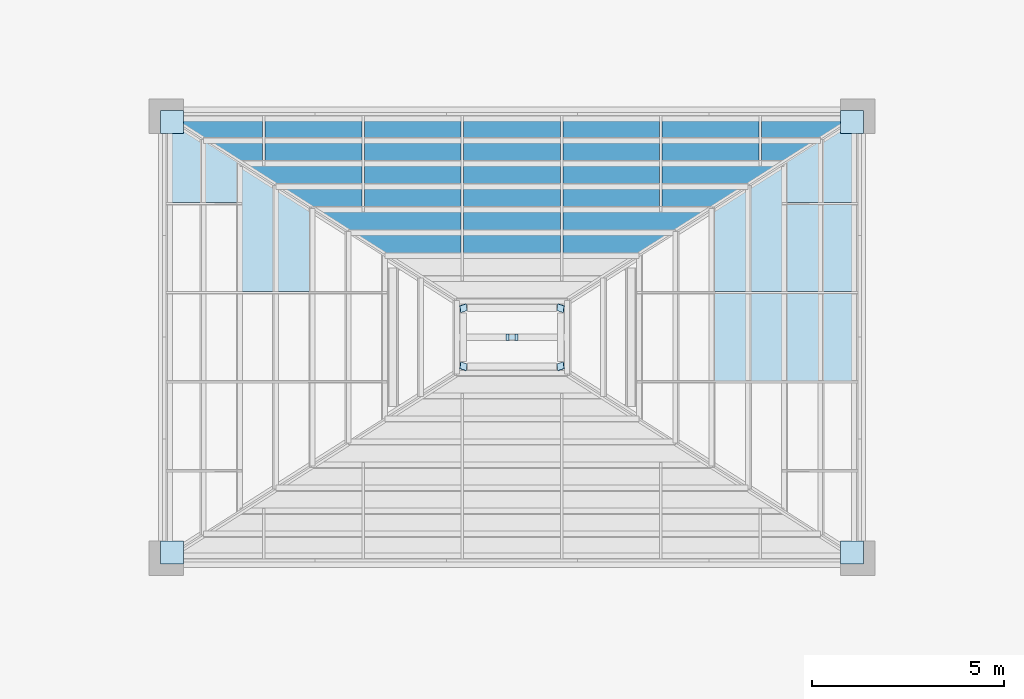
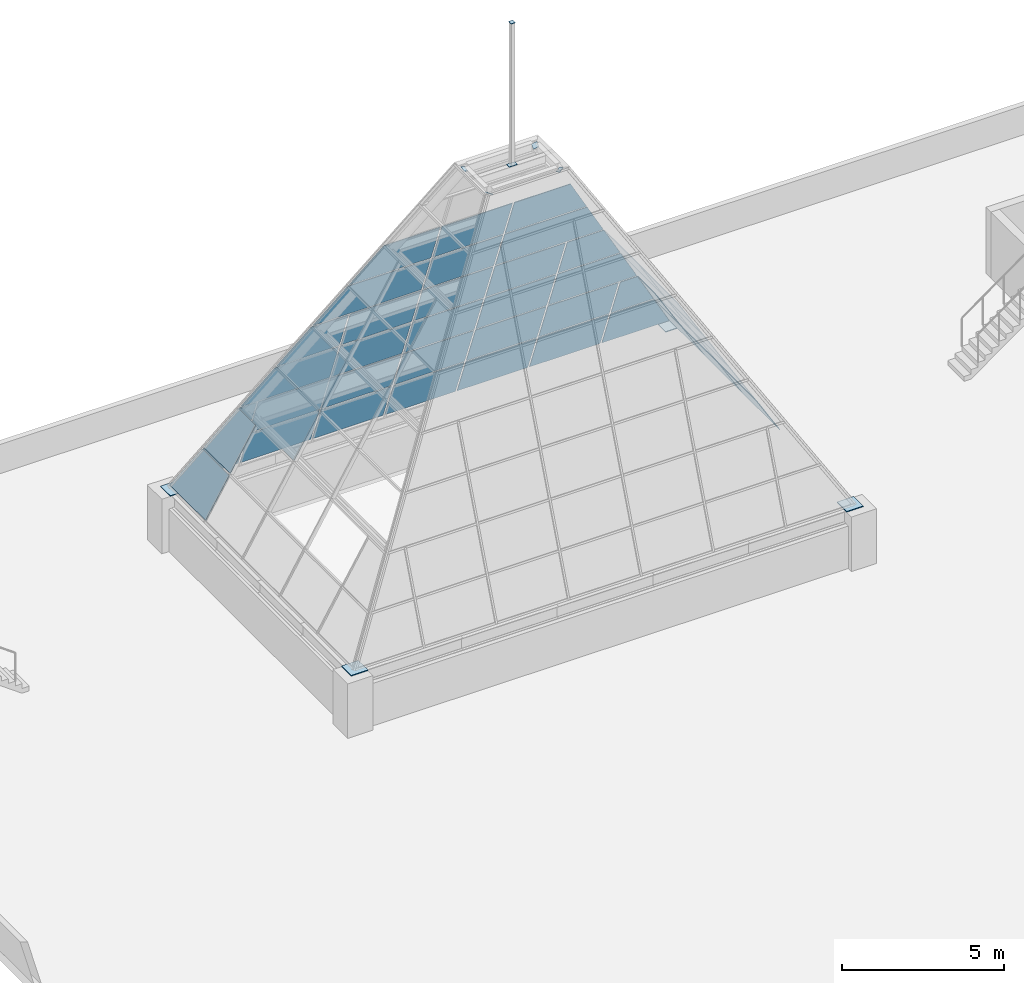
# One storey, part 6 of 8: 54 plates, 3 elements without a shape of their own.
"""IFC4 building model written with IfcOpenShell, lengths in metres."""

from ifc_helpers import new_model, si_unit, direction, frame, origin, place, context, subcontext, project, spatial, polyline, outline, extrude, material, layer, layer_set, type_object, element, aggregate, save


model = new_model("IFC4")

# Units and contexts
model_context = context("Model", 3, precision=1e-05, world=origin(), true_north=direction((0.0, 1.0)))
body_context = subcontext(model_context, "Body", "Model", "MODEL_VIEW")
ifc_project = project(units=[si_unit("LENGTHUNIT", "METRE"), si_unit("AREAUNIT", "SQUARE_METRE"), si_unit("VOLUMEUNIT", "CUBIC_METRE"), si_unit("PLANEANGLEUNIT", "RADIAN"), si_unit("MASSUNIT", "GRAM", prefix="KILO")], contexts=[model_context])

# Site, building, storey
site_placement = place(None, origin())
site = spatial("IfcSite", under=ifc_project, at=site_placement, CompositionType="ELEMENT")
building_placement = place(site_placement, origin())
building = spatial("IfcBuilding", under=site, at=building_placement, Name="Brigalow Station Residences", CompositionType="ELEMENT")
storey_placement = place(building_placement, frame((0.0, 0.0, 244.199951171875)))
storey = spatial("IfcBuildingStorey", under=building, at=storey_placement, Name="Roof", CompositionType="ELEMENT", Elevation=244.199951171875)

# Plates
ifc_material_1 = material(Name="Steel Grade 350 to AS/NZS 3678", Category="steel")
ifc_layer_1 = layer(ifc_material_1, 0.030029296875)
ifc_layer_set_1 = layer_set([ifc_layer_1], Name="CROWN BEARING PLATE 30")
plate_type_1 = type_object("IfcPlateType", Name="CROWN BEARING PLATE 30", PredefinedType="USERDEFINED", material=ifc_layer_set_1)
for number, where, z_axis, x_axis, name in (
    (1, (26.85009765625, 23.85009765625, 2.09033203125), (0.0, 0.0, 1.0), (1.0, 0.0, 0.0), "CROWN BEARING PLATE SW"),
    (2, (44.550048828125, 23.85009765625, 2.09033203125), (0.0, 0.0, 1.0), (1.0, 0.0, 0.0), "CROWN BEARING PLATE SE"),
    (3, (44.550048828125, 35.050048828125, 2.09033203125), (0.0, 0.0, 1.0), (1.0, 0.0, 0.0), "CROWN BEARING PLATE NE"),
    (4, (26.85009765625, 35.050048828125, 2.09033203125), (0.0, 0.0, 1.0), (1.0, 0.0, 0.0), "CROWN BEARING PLATE NW"),
):
    element("IfcPlate", number, at=place(storey_placement, frame(where, z_axis=z_axis, x_axis=x_axis)), inside=storey, type_object=plate_type_1, Name=name, ObjectType="BEARING PLATE", PredefinedType="USERDEFINED", context=body_context, shape_type="SweptSolid", body=[
        extrude(outline(polyline([(0.0, 0.0), (0.599853515625, 0.0), (0.599853515625, 0.599853515625), (0.0, 0.599853515625), (0.0, 0.0)])), origin(), (0.0, 0.0, -1.0), 0.030029296875),
    ])

# Curtain wall, plates
ifc_material_2 = material(Name="Aluminium", Category="aluminium")
ifc_layer_2 = layer(ifc_material_2, 0.14990234375)
ifc_layer_set_2 = layer_set([ifc_layer_2], Name="CROWN CURTAIN WALL")
curtain_wall_type = type_object("IfcCurtainWallType", Name="CROWN CURTAIN WALL", PredefinedType="NOTDEFINED", material=ifc_layer_set_2)
curtain_wall_1_placement = place(storey_placement, origin())
curtain_wall_1 = element("IfcCurtainWall", 5, at=curtain_wall_1_placement, inside=storey, type_object=curtain_wall_type, Name="Roof/cw/crown-E", PredefinedType="NOTDEFINED")
ifc_material_3 = material(Name="Laminated low-emissivity glass, 24 mm", Category="glass")
ifc_layer_3 = layer(ifc_material_3, 0.02392578125)
ifc_layer_set_3 = layer_set([ifc_layer_3], Name="CROWN GLASS PANEL 24")
plate_type_2 = type_object("IfcPlateType", Name="CROWN GLASS PANEL 24", PredefinedType="CURTAIN_PANEL", material=ifc_layer_set_3)
plate_1_placement = place(storey_placement, frame((44.927001953125, 28.614990234375, 2.167724609375), z_axis=(0.856678360594, 0.0, 0.515850934369), x_axis=(0.0, 1.0, 0.0)))
plate_1 = element("IfcPlate", 6, at=plate_1_placement, type_object=plate_type_2, Name="Roof/cw/crown-E/P02-00", PredefinedType="CURTAIN_PANEL", context=body_context, shape_type="SweptSolid", body=[
    extrude(outline(polyline([(0.0, 0.0), (2.27001953125, 0.0), (2.27001953125, 1.641799542653841), (0.0, 1.641799542653841), (0.0, 0.0)])), origin(), (0.0, 0.0, -1.0), 0.02392578125),
])
plate_2_placement = place(storey_placement, frame((44.927001953125, 30.93505859375, 2.167724609375), z_axis=(0.856678360594, 0.0, 0.515850934369), x_axis=(0.0, 1.0, 0.0)))
plate_2 = element("IfcPlate", 7, at=plate_2_placement, type_object=plate_type_2, Name="Roof/cw/crown-E/P03-00", PredefinedType="CURTAIN_PANEL", context=body_context, shape_type="SweptSolid", body=[
    extrude(outline(polyline([(0.0, 0.0), (2.27001953125, 0.0), (2.27001953125, 1.641799542653841), (0.0, 1.641799542653841), (0.0, 0.0)])), origin(), (0.0, 0.0, -1.0), 0.02392578125),
])
plate_3_placement = place(storey_placement, frame((44.927001953125, 33.2548828125, 2.167724609375), z_axis=(0.856678360594, 0.0, 0.515850934369), x_axis=(0.0, 1.0, 0.0)))
plate_3 = element("IfcPlate", 8, at=plate_3_placement, type_object=plate_type_2, Name="Roof/cw/crown-E/P04-00", PredefinedType="CURTAIN_PANEL", context=body_context, shape_type="SweptSolid", body=[
    extrude(outline(polyline([(0.0, 0.0), (2.19140625, 0.0), (1.653076171875, 1.641799542653841), (0.0, 1.641799542653841), (0.0, 0.0)])), origin(), (0.0, 0.0, -1.0), 0.02392578125),
])
plate_4_placement = place(storey_placement, frame((44.046630859375, 28.614990234375, 3.6298828125), z_axis=(0.856747426204, 0.0, 0.515736219101), x_axis=(0.0, 1.0, 0.0)))
plate_4 = element("IfcPlate", 9, at=plate_4_placement, type_object=plate_type_2, Name="Roof/cw/crown-E/P02-01", PredefinedType="CURTAIN_PANEL", context=body_context, shape_type="SweptSolid", body=[
    extrude(outline(polyline([(0.0, 0.0), (2.27001953125, 0.0), (2.27001953125, 1.7647708582252735), (0.0, 1.7647708582252735), (0.0, 0.0)])), origin(), (0.0, 0.0, -1.0), 0.02392578125),
])
plate_5_placement = place(storey_placement, frame((44.046630859375, 30.93505859375, 3.6298828125), z_axis=(0.856747426204, 0.0, 0.515736219101), x_axis=(0.0, 1.0, 0.0)))
plate_5 = element("IfcPlate", 10, at=plate_5_placement, type_object=plate_type_2, Name="Roof/cw/crown-E/P03-01", PredefinedType="CURTAIN_PANEL", context=body_context, shape_type="SweptSolid", body=[
    extrude(outline(polyline([(0.0, 0.0), (2.27001953125, 0.0), (2.27001953125, 1.7647708582252735), (0.0, 1.7647708582252735), (0.0, 0.0)])), origin(), (0.0, 0.0, -1.0), 0.02392578125),
])
plate_6_placement = place(storey_placement, frame((44.046630859375, 33.2548828125, 3.6298828125), z_axis=(0.856747426204, 0.0, 0.515736219101), x_axis=(0.0, 1.0, 0.0)))
plate_6 = element("IfcPlate", 11, at=plate_6_placement, type_object=plate_type_2, Name="Roof/cw/crown-E/P04-01", PredefinedType="CURTAIN_PANEL", context=body_context, shape_type="SweptSolid", body=[
    extrude(outline(polyline([(0.0, 0.0), (1.6318359375, 0.0), (1.05322265625, 1.7647708582252735), (0.0, 1.7647708582252735), (0.0, 0.0)])), origin(), (0.0, 0.0, -1.0), 0.02392578125),
])
plate_7_placement = place(storey_placement, frame((43.102783203125, 28.614990234375, 5.197509765625), z_axis=(0.856710623121, 0.0, 0.515797351905), x_axis=(0.0, 1.0, 0.0)))
plate_7 = element("IfcPlate", 12, at=plate_7_placement, type_object=plate_type_2, Name="Roof/cw/crown-E/P01-02", PredefinedType="CURTAIN_PANEL", context=body_context, shape_type="SweptSolid", body=[
    extrude(outline(polyline([(0.0, 0.0), (2.27001953125, 0.0), (2.27001953125, 1.7645616958654706), (0.0, 1.7645616958654706), (0.0, 0.0)])), origin(), (0.0, 0.0, -1.0), 0.02392578125),
])
plate_8_placement = place(storey_placement, frame((43.102783203125, 30.93505859375, 5.197509765625), z_axis=(0.856710623121, 0.0, 0.515797351905), x_axis=(0.0, 1.0, 0.0)))
plate_8 = element("IfcPlate", 13, at=plate_8_placement, type_object=plate_type_2, Name="Roof/cw/crown-E/P02-02", PredefinedType="CURTAIN_PANEL", context=body_context, shape_type="SweptSolid", body=[
    extrude(outline(polyline([(0.0, 0.0), (3.3515625, 0.0), (2.77294921875, 1.7645616958654702), (0.0, 1.7645616958654702), (0.0, 0.0)])), origin(), (0.0, 0.0, -1.0), 0.02392578125),
])
plate_9_placement = place(storey_placement, frame((42.1591796875, 28.614990234375, 6.764892578125), z_axis=(0.856649482729, 0.0, 0.515898889066), x_axis=(0.0, 1.0, 0.0)))
plate_9 = element("IfcPlate", 14, at=plate_9_placement, type_object=plate_type_2, Name="Roof/cw/crown-E/P01-03", PredefinedType="CURTAIN_PANEL", context=body_context, shape_type="SweptSolid", body=[
    extrude(outline(polyline([(0.0, 0.0), (2.27001953125, 0.0), (2.27001953125, 1.7646876353484533), (0.0, 1.7646876353484533), (0.0, 0.0)])), origin(), (0.0, 0.0, -1.0), 0.02392578125),
])
plate_10_placement = place(storey_placement, frame((42.1591796875, 30.93505859375, 6.764892578125), z_axis=(0.856649482729, 0.0, 0.515898889066), x_axis=(0.0, 1.0, 0.0)))
plate_10 = element("IfcPlate", 15, at=plate_10_placement, type_object=plate_type_2, Name="Roof/cw/crown-E/P02-03", PredefinedType="CURTAIN_PANEL", context=body_context, shape_type="SweptSolid", body=[
    extrude(outline(polyline([(0.0, 0.0), (2.751708984375, 0.0), (2.1728515625, 1.7646876353484533), (0.0, 1.7646876353484533), (0.0, 0.0)])), origin(), (0.0, 0.0, -1.0), 0.02392578125),
])
aggregate(curtain_wall_1, [plate_1, plate_2, plate_3, plate_4, plate_5, plate_6, plate_7, plate_8, plate_9, plate_10])

curtain_wall_2_placement = place(storey_placement, origin())
curtain_wall_2 = element("IfcCurtainWall", 16, at=curtain_wall_2_placement, inside=storey, type_object=curtain_wall_type, Name="Roof/cw/crown-N", PredefinedType="NOTDEFINED")
plate_11_placement = place(storey_placement, frame((44.906494140625, 35.45947265625, 2.156982421875), z_axis=(0.0, 0.933889775991, 0.357561024581), x_axis=(-1.0, 0.0, 0.0)))
plate_11 = element("IfcPlate", 17, at=plate_11_placement, type_object=plate_type_2, Name="Roof/cw/crown-N/P00-00", PredefinedType="CURTAIN_PANEL", context=body_context, shape_type="SweptSolid", body=[
    extrude(outline(polyline([(0.0, 0.0), (2.40966796875, 0.0), (2.40966796875, 1.5233140553076103), (0.8564453125, 1.5233140553076103), (0.0, 0.0)])), origin(), (0.0, 0.0, -1.0), 0.02392578125),
])
plate_12_placement = place(storey_placement, frame((42.431884765625, 35.45947265625, 2.156982421875), z_axis=(0.0, 0.933889775991, 0.357561024581), x_axis=(-1.0, 0.0, 0.0)))
plate_12 = element("IfcPlate", 18, at=plate_12_placement, type_object=plate_type_2, Name="Roof/cw/crown-N/P01-00", PredefinedType="CURTAIN_PANEL", context=body_context, shape_type="SweptSolid", body=[
    extrude(outline(polyline([(0.0, 0.0), (2.520751953125, 0.0), (2.520751953125, 1.52331405530761), (0.0, 1.52331405530761), (0.0, 0.0)])), origin(), (0.0, 0.0, -1.0), 0.02392578125),
])
plate_13_placement = place(storey_placement, frame((39.84619140625, 35.45947265625, 2.156982421875), z_axis=(0.0, 0.933889775991, 0.357561024581), x_axis=(-1.0, 0.0, 0.0)))
plate_13 = element("IfcPlate", 19, at=plate_13_placement, type_object=plate_type_2, Name="Roof/cw/crown-N/P02-00", PredefinedType="CURTAIN_PANEL", context=body_context, shape_type="SweptSolid", body=[
    extrude(outline(polyline([(0.0, 0.0), (2.520751953125, 0.0), (2.520751953125, 1.52331405530761), (0.0, 1.52331405530761), (0.0, 0.0)])), origin(), (0.0, 0.0, -1.0), 0.02392578125),
])
plate_14_placement = place(storey_placement, frame((37.260498046875, 35.45947265625, 2.156982421875), z_axis=(0.0, 0.933889775991, 0.357561024581), x_axis=(-1.0, 0.0, 0.0)))
plate_14 = element("IfcPlate", 20, at=plate_14_placement, type_object=plate_type_2, Name="Roof/cw/crown-N/P03-00", PredefinedType="CURTAIN_PANEL", context=body_context, shape_type="SweptSolid", body=[
    extrude(outline(polyline([(0.0, 0.0), (2.52099609375, 0.0), (2.52099609375, 1.5233140553076103), (0.0, 1.5233140553076103), (0.0, 0.0)])), origin(), (0.0, 0.0, -1.0), 0.02392578125),
])
plate_15_placement = place(storey_placement, frame((34.674560546875, 35.45947265625, 2.156982421875), z_axis=(0.0, 0.933889775991, 0.357561024581), x_axis=(-1.0, 0.0, 0.0)))
plate_15 = element("IfcPlate", 21, at=plate_15_placement, type_object=plate_type_2, Name="Roof/cw/crown-N/P04-00", PredefinedType="CURTAIN_PANEL", context=body_context, shape_type="SweptSolid", body=[
    extrude(outline(polyline([(0.0, 0.0), (2.520751953125, 0.0), (2.520751953125, 1.52331405530761), (0.0, 1.52331405530761), (0.0, 0.0)])), origin(), (0.0, 0.0, -1.0), 0.02392578125),
])
plate_16_placement = place(storey_placement, frame((32.0888671875, 35.45947265625, 2.156982421875), z_axis=(0.0, 0.933889775991, 0.357561024581), x_axis=(-1.0, 0.0, 0.0)))
plate_16 = element("IfcPlate", 22, at=plate_16_placement, type_object=plate_type_2, Name="Roof/cw/crown-N/P05-00", PredefinedType="CURTAIN_PANEL", context=body_context, shape_type="SweptSolid", body=[
    extrude(outline(polyline([(0.0, 0.0), (2.520751953125, 0.0), (2.520751953125, 1.52331405530761), (0.0, 1.52331405530761), (0.0, 0.0)])), origin(), (0.0, 0.0, -1.0), 0.02392578125),
])
plate_17_placement = place(storey_placement, frame((29.503173828125, 35.45947265625, 2.156982421875), z_axis=(0.0, 0.933889775991, 0.357561024581), x_axis=(-1.0, 0.0, 0.0)))
plate_17 = element("IfcPlate", 23, at=plate_17_placement, type_object=plate_type_2, Name="Roof/cw/crown-N/P06-00", PredefinedType="CURTAIN_PANEL", context=body_context, shape_type="SweptSolid", body=[
    extrude(outline(polyline([(0.0, 0.0), (2.40966796875, 0.0), (1.55322265625, 1.5233140553076103), (0.0, 1.5233140553076103), (0.0, 0.0)])), origin(), (0.0, 0.0, -1.0), 0.02392578125),
])
plate_18_placement = place(storey_placement, frame((44.013427734375, 34.8916015625, 3.640380859375), z_axis=(0.0, 0.933944898525, 0.357417020466), x_axis=(-1.0, 0.0, 0.0)))
plate_18 = element("IfcPlate", 24, at=plate_18_placement, type_object=plate_type_2, Name="Roof/cw/crown-N/P00-01", PredefinedType="CURTAIN_PANEL", context=body_context, shape_type="SweptSolid", body=[
    extrude(outline(polyline([(0.0, 0.0), (1.5166015625, 0.0), (1.5166015625, 1.6134098916108637), (0.9072265625, 1.6134098916108637), (0.0, 0.0)])), origin(), (0.0, 0.0, -1.0), 0.02392578125),
])
plate_19_placement = place(storey_placement, frame((42.431884765625, 34.8916015625, 3.640380859375), z_axis=(0.0, 0.933944898525, 0.357417020466), x_axis=(-1.0, 0.0, 0.0)))
plate_19 = element("IfcPlate", 25, at=plate_19_placement, type_object=plate_type_2, Name="Roof/cw/crown-N/P01-01", PredefinedType="CURTAIN_PANEL", context=body_context, shape_type="SweptSolid", body=[
    extrude(outline(polyline([(0.0, 0.0), (2.520751953125, 0.0), (2.520751953125, 1.6134098916108637), (0.0, 1.6134098916108637), (0.0, 0.0)])), origin(), (0.0, 0.0, -1.0), 0.02392578125),
])
plate_20_placement = place(storey_placement, frame((39.84619140625, 34.8916015625, 3.640380859375), z_axis=(0.0, 0.933944898525, 0.357417020466), x_axis=(-1.0, 0.0, 0.0)))
plate_20 = element("IfcPlate", 26, at=plate_20_placement, type_object=plate_type_2, Name="Roof/cw/crown-N/P02-01", PredefinedType="CURTAIN_PANEL", context=body_context, shape_type="SweptSolid", body=[
    extrude(outline(polyline([(0.0, 0.0), (2.520751953125, 0.0), (2.520751953125, 1.6134098916108637), (0.0, 1.6134098916108637), (0.0, 0.0)])), origin(), (0.0, 0.0, -1.0), 0.02392578125),
])
plate_21_placement = place(storey_placement, frame((37.260498046875, 34.8916015625, 3.640380859375), z_axis=(0.0, 0.933944898525, 0.357417020466), x_axis=(-1.0, 0.0, 0.0)))
plate_21 = element("IfcPlate", 27, at=plate_21_placement, type_object=plate_type_2, Name="Roof/cw/crown-N/P03-01", PredefinedType="CURTAIN_PANEL", context=body_context, shape_type="SweptSolid", body=[
    extrude(outline(polyline([(0.0, 0.0), (2.52099609375, 0.0), (2.52099609375, 1.6134098916108635), (0.0, 1.6134098916108635), (0.0, 0.0)])), origin(), (0.0, 0.0, -1.0), 0.02392578125),
])
plate_22_placement = place(storey_placement, frame((34.674560546875, 34.8916015625, 3.640380859375), z_axis=(0.0, 0.933944898525, 0.357417020466), x_axis=(-1.0, 0.0, 0.0)))
plate_22 = element("IfcPlate", 28, at=plate_22_placement, type_object=plate_type_2, Name="Roof/cw/crown-N/P04-01", PredefinedType="CURTAIN_PANEL", context=body_context, shape_type="SweptSolid", body=[
    extrude(outline(polyline([(0.0, 0.0), (2.520751953125, 0.0), (2.520751953125, 1.6134098916108637), (0.0, 1.6134098916108637), (0.0, 0.0)])), origin(), (0.0, 0.0, -1.0), 0.02392578125),
])
plate_23_placement = place(storey_placement, frame((32.0888671875, 34.8916015625, 3.640380859375), z_axis=(0.0, 0.933944898525, 0.357417020466), x_axis=(-1.0, 0.0, 0.0)))
plate_23 = element("IfcPlate", 29, at=plate_23_placement, type_object=plate_type_2, Name="Roof/cw/crown-N/P05-01", PredefinedType="CURTAIN_PANEL", context=body_context, shape_type="SweptSolid", body=[
    extrude(outline(polyline([(0.0, 0.0), (2.520751953125, 0.0), (2.520751953125, 1.6134098916108637), (0.0, 1.6134098916108637), (0.0, 0.0)])), origin(), (0.0, 0.0, -1.0), 0.02392578125),
])
plate_24_placement = place(storey_placement, frame((29.503173828125, 34.8916015625, 3.640380859375), z_axis=(0.0, 0.933944898525, 0.357417020466), x_axis=(-1.0, 0.0, 0.0)))
plate_24 = element("IfcPlate", 30, at=plate_24_placement, type_object=plate_type_2, Name="Roof/cw/crown-N/P06-01", PredefinedType="CURTAIN_PANEL", context=body_context, shape_type="SweptSolid", body=[
    extrude(outline(polyline([(0.0, 0.0), (1.5166015625, 0.0), (0.609375, 1.6134098916108637), (0.0, 1.6134098916108637), (0.0, 0.0)])), origin(), (0.0, 0.0, -1.0), 0.02392578125),
])
plate_25_placement = place(storey_placement, frame((43.069580078125, 34.291748046875, 5.207763671875), z_axis=(0.0, 0.933894380251, 0.35754899879), x_axis=(-1.0, 0.0, 0.0)))
plate_25 = element("IfcPlate", 31, at=plate_25_placement, type_object=plate_type_2, Name="Roof/cw/crown-N/P00-02", PredefinedType="CURTAIN_PANEL", context=body_context, shape_type="SweptSolid", body=[
    extrude(outline(polyline([(0.0, 0.0), (3.158447265625, 0.0), (3.158447265625, 1.6134971677366967), (0.906982421875, 1.6134971677366967), (0.0, 0.0)])), origin(), (0.0, 0.0, -1.0), 0.02392578125),
])
plate_26_placement = place(storey_placement, frame((39.84619140625, 34.291748046875, 5.207763671875), z_axis=(0.0, 0.933894380251, 0.35754899879), x_axis=(-1.0, 0.0, 0.0)))
plate_26 = element("IfcPlate", 32, at=plate_26_placement, type_object=plate_type_2, Name="Roof/cw/crown-N/P01-02", PredefinedType="CURTAIN_PANEL", context=body_context, shape_type="SweptSolid", body=[
    extrude(outline(polyline([(0.0, 0.0), (2.520751953125, 0.0), (2.520751953125, 1.6134971677366967), (0.0, 1.6134971677366967), (0.0, 0.0)])), origin(), (0.0, 0.0, -1.0), 0.02392578125),
])
plate_27_placement = place(storey_placement, frame((37.260498046875, 34.291748046875, 5.207763671875), z_axis=(0.0, 0.933894380251, 0.35754899879), x_axis=(-1.0, 0.0, 0.0)))
plate_27 = element("IfcPlate", 33, at=plate_27_placement, type_object=plate_type_2, Name="Roof/cw/crown-N/P02-02", PredefinedType="CURTAIN_PANEL", context=body_context, shape_type="SweptSolid", body=[
    extrude(outline(polyline([(0.0, 0.0), (2.52099609375, 0.0), (2.52099609375, 1.613497167736697), (0.0, 1.613497167736697), (0.0, 0.0)])), origin(), (0.0, 0.0, -1.0), 0.02392578125),
])
plate_28_placement = place(storey_placement, frame((34.674560546875, 34.291748046875, 5.207763671875), z_axis=(0.0, 0.933894380251, 0.35754899879), x_axis=(-1.0, 0.0, 0.0)))
plate_28 = element("IfcPlate", 34, at=plate_28_placement, type_object=plate_type_2, Name="Roof/cw/crown-N/P03-02", PredefinedType="CURTAIN_PANEL", context=body_context, shape_type="SweptSolid", body=[
    extrude(outline(polyline([(0.0, 0.0), (2.520751953125, 0.0), (2.520751953125, 1.6134971677366967), (0.0, 1.6134971677366967), (0.0, 0.0)])), origin(), (0.0, 0.0, -1.0), 0.02392578125),
])
plate_29_placement = place(storey_placement, frame((32.0888671875, 34.291748046875, 5.207763671875), z_axis=(0.0, 0.933894380251, 0.35754899879), x_axis=(-1.0, 0.0, 0.0)))
plate_29 = element("IfcPlate", 35, at=plate_29_placement, type_object=plate_type_2, Name="Roof/cw/crown-N/P04-02", PredefinedType="CURTAIN_PANEL", context=body_context, shape_type="SweptSolid", body=[
    extrude(outline(polyline([(0.0, 0.0), (3.158447265625, 0.0), (2.25146484375, 1.6134971677366967), (0.0, 1.6134971677366967), (0.0, 0.0)])), origin(), (0.0, 0.0, -1.0), 0.02392578125),
])
plate_30_placement = place(storey_placement, frame((42.1259765625, 33.691650390625, 6.775146484375), z_axis=(0.0, 0.933944898525, 0.357417020466), x_axis=(-1.0, 0.0, 0.0)))
plate_30 = element("IfcPlate", 36, at=plate_30_placement, type_object=plate_type_2, Name="Roof/cw/crown-N/P00-03", PredefinedType="CURTAIN_PANEL", context=body_context, shape_type="SweptSolid", body=[
    extrude(outline(polyline([(0.0, 0.0), (2.21484375, 0.0), (2.21484375, 1.6134098916108635), (0.9072265625, 1.6134098916108635), (0.0, 0.0)])), origin(), (0.0, 0.0, -1.0), 0.02392578125),
])
plate_31_placement = place(storey_placement, frame((39.84619140625, 33.691650390625, 6.775146484375), z_axis=(0.0, 0.933944898525, 0.357417020466), x_axis=(-1.0, 0.0, 0.0)))
plate_31 = element("IfcPlate", 37, at=plate_31_placement, type_object=plate_type_2, Name="Roof/cw/crown-N/P01-03", PredefinedType="CURTAIN_PANEL", context=body_context, shape_type="SweptSolid", body=[
    extrude(outline(polyline([(0.0, 0.0), (2.520751953125, 0.0), (2.520751953125, 1.6134098916108637), (0.0, 1.6134098916108637), (0.0, 0.0)])), origin(), (0.0, 0.0, -1.0), 0.02392578125),
])
plate_32_placement = place(storey_placement, frame((37.260498046875, 33.691650390625, 6.775146484375), z_axis=(0.0, 0.933944898525, 0.357417020466), x_axis=(-1.0, 0.0, 0.0)))
plate_32 = element("IfcPlate", 38, at=plate_32_placement, type_object=plate_type_2, Name="Roof/cw/crown-N/P02-03", PredefinedType="CURTAIN_PANEL", context=body_context, shape_type="SweptSolid", body=[
    extrude(outline(polyline([(0.0, 0.0), (2.52099609375, 0.0), (2.52099609375, 1.6134098916108635), (0.0, 1.6134098916108635), (0.0, 0.0)])), origin(), (0.0, 0.0, -1.0), 0.02392578125),
])
plate_33_placement = place(storey_placement, frame((34.674560546875, 33.691650390625, 6.775146484375), z_axis=(0.0, 0.933944898525, 0.357417020466), x_axis=(-1.0, 0.0, 0.0)))
plate_33 = element("IfcPlate", 39, at=plate_33_placement, type_object=plate_type_2, Name="Roof/cw/crown-N/P03-03", PredefinedType="CURTAIN_PANEL", context=body_context, shape_type="SweptSolid", body=[
    extrude(outline(polyline([(0.0, 0.0), (2.520751953125, 0.0), (2.520751953125, 1.6134098916108637), (0.0, 1.6134098916108637), (0.0, 0.0)])), origin(), (0.0, 0.0, -1.0), 0.02392578125),
])
plate_34_placement = place(storey_placement, frame((32.0888671875, 33.691650390625, 6.775146484375), z_axis=(0.0, 0.933944898525, 0.357417020466), x_axis=(-1.0, 0.0, 0.0)))
plate_34 = element("IfcPlate", 40, at=plate_34_placement, type_object=plate_type_2, Name="Roof/cw/crown-N/P04-03", PredefinedType="CURTAIN_PANEL", context=body_context, shape_type="SweptSolid", body=[
    extrude(outline(polyline([(0.0, 0.0), (2.21484375, 0.0), (1.3076171875, 1.6134098916108635), (0.0, 1.6134098916108635), (0.0, 0.0)])), origin(), (0.0, 0.0, -1.0), 0.02392578125),
])
plate_35_placement = place(storey_placement, frame((41.18212890625, 33.091796875, 8.3427734375), z_axis=(0.0, 0.933875032297, 0.357599530274), x_axis=(-1.0, 0.0, 0.0)))
plate_35 = element("IfcPlate", 41, at=plate_35_placement, type_object=plate_type_2, Name="Roof/cw/crown-N/P00-04", PredefinedType="CURTAIN_PANEL", context=body_context, shape_type="SweptSolid", body=[
    extrude(outline(polyline([(0.0, 0.0), (3.856689453125, 0.0), (3.856689453125, 1.6132691685406622), (0.9072265625, 1.6132691685406622), (0.0, 0.0)])), origin(), (0.0, 0.0, -1.0), 0.02392578125),
])
plate_36_placement = place(storey_placement, frame((37.260498046875, 33.091796875, 8.3427734375), z_axis=(0.0, 0.933875032297, 0.357599530274), x_axis=(-1.0, 0.0, 0.0)))
plate_36 = element("IfcPlate", 42, at=plate_36_placement, type_object=plate_type_2, Name="Roof/cw/crown-N/P01-04", PredefinedType="CURTAIN_PANEL", context=body_context, shape_type="SweptSolid", body=[
    extrude(outline(polyline([(0.0, 0.0), (2.52099609375, 0.0), (2.52099609375, 1.6132691685406622), (0.0, 1.6132691685406622), (0.0, 0.0)])), origin(), (0.0, 0.0, -1.0), 0.02392578125),
])
plate_37_placement = place(storey_placement, frame((34.674560546875, 33.091796875, 8.3427734375), z_axis=(0.0, 0.933875032297, 0.357599530274), x_axis=(-1.0, 0.0, 0.0)))
plate_37 = element("IfcPlate", 43, at=plate_37_placement, type_object=plate_type_2, Name="Roof/cw/crown-N/P02-04", PredefinedType="CURTAIN_PANEL", context=body_context, shape_type="SweptSolid", body=[
    extrude(outline(polyline([(0.0, 0.0), (3.856689453125, 0.0), (2.949462890625, 1.6132691685406622), (0.0, 1.6132691685406622), (0.0, 0.0)])), origin(), (0.0, 0.0, -1.0), 0.02392578125),
])
plate_38_placement = place(storey_placement, frame((40.23828125, 32.49169921875, 9.91015625), z_axis=(0.0, 0.933894380251, 0.35754899879), x_axis=(-1.0, 0.0, 0.0)))
plate_38 = element("IfcPlate", 44, at=plate_38_placement, type_object=plate_type_2, Name="Roof/cw/crown-N/P00-05", PredefinedType="CURTAIN_PANEL", context=body_context, shape_type="SweptSolid", body=[
    extrude(outline(polyline([(0.0, 0.0), (2.912841796875, 0.0), (2.912841796875, 1.6134971677366967), (0.906982421875, 1.6134971677366967), (0.0, 0.0)])), origin(), (0.0, 0.0, -1.0), 0.02392578125),
])
plate_39_placement = place(storey_placement, frame((37.260498046875, 32.49169921875, 9.91015625), z_axis=(0.0, 0.933894380251, 0.35754899879), x_axis=(-1.0, 0.0, 0.0)))
plate_39 = element("IfcPlate", 45, at=plate_39_placement, type_object=plate_type_2, Name="Roof/cw/crown-N/P01-05", PredefinedType="CURTAIN_PANEL", context=body_context, shape_type="SweptSolid", body=[
    extrude(outline(polyline([(0.0, 0.0), (2.52099609375, 0.0), (2.52099609375, 1.613497167736697), (0.0, 1.613497167736697), (0.0, 0.0)])), origin(), (0.0, 0.0, -1.0), 0.02392578125),
])
plate_40_placement = place(storey_placement, frame((34.674560546875, 32.49169921875, 9.91015625), z_axis=(0.0, 0.933894380251, 0.35754899879), x_axis=(-1.0, 0.0, 0.0)))
plate_40 = element("IfcPlate", 46, at=plate_40_placement, type_object=plate_type_2, Name="Roof/cw/crown-N/P02-05", PredefinedType="CURTAIN_PANEL", context=body_context, shape_type="SweptSolid", body=[
    extrude(outline(polyline([(0.0, 0.0), (2.912841796875, 0.0), (2.005859375, 1.6134971677366967), (0.0, 1.6134971677366967), (0.0, 0.0)])), origin(), (0.0, 0.0, -1.0), 0.02392578125),
])
aggregate(curtain_wall_2, [plate_11, plate_12, plate_13, plate_14, plate_15, plate_16, plate_17, plate_18, plate_19, plate_20, plate_21, plate_22, plate_23, plate_24, plate_25, plate_26, plate_27, plate_28, plate_29, plate_30, plate_31, plate_32, plate_33, plate_34, plate_35, plate_36, plate_37, plate_38, plate_39, plate_40])

curtain_wall_3_placement = place(storey_placement, origin())
curtain_wall_3 = element("IfcCurtainWall", 47, at=curtain_wall_3_placement, inside=storey, type_object=curtain_wall_type, Name="Roof/cw/crown-W", PredefinedType="NOTDEFINED")
plate_41_placement = place(storey_placement, frame((27.072998046875, 35.4462890625, 2.167724609375), z_axis=(-0.856678360594, 0.0, 0.515850934369), x_axis=(0.0, -1.0, 0.0)))
plate_41 = element("IfcPlate", 48, at=plate_41_placement, type_object=plate_type_2, Name="Roof/cw/crown-W/P00-00", PredefinedType="CURTAIN_PANEL", context=body_context, shape_type="SweptSolid", body=[
    extrude(outline(polyline([(0.0, 0.0), (2.19140625, 0.0), (2.19140625, 1.641799542653841), (0.538330078125, 1.641799542653841), (0.0, 0.0)])), origin(), (0.0, 0.0, -1.0), 0.02392578125),
])
plate_42_placement = place(storey_placement, frame((27.953369140625, 34.88671875, 3.6298828125), z_axis=(-0.856747426204, 0.0, 0.515736219101), x_axis=(0.0, -1.0, 0.0)))
plate_42 = element("IfcPlate", 49, at=plate_42_placement, type_object=plate_type_2, Name="Roof/cw/crown-W/P00-01", PredefinedType="CURTAIN_PANEL", context=body_context, shape_type="SweptSolid", body=[
    extrude(outline(polyline([(0.0, 0.0), (1.6318359375, 0.0), (1.6318359375, 1.7647708582252735), (0.57861328125, 1.7647708582252735), (0.0, 0.0)])), origin(), (0.0, 0.0, -1.0), 0.02392578125),
])
plate_43_placement = place(storey_placement, frame((28.897216796875, 34.28662109375, 5.197509765625), z_axis=(-0.856710623121, 0.0, 0.515797351905), x_axis=(0.0, -1.0, 0.0)))
plate_43 = element("IfcPlate", 50, at=plate_43_placement, type_object=plate_type_2, Name="Roof/cw/crown-W/P00-02", PredefinedType="CURTAIN_PANEL", context=body_context, shape_type="SweptSolid", body=[
    extrude(outline(polyline([(0.0, 0.0), (3.3515625, 0.0), (3.3515625, 1.7645616958654702), (0.57861328125, 1.7645616958654702), (0.0, 0.0)])), origin(), (0.0, 0.0, -1.0), 0.02392578125),
])
plate_44_placement = place(storey_placement, frame((29.8408203125, 33.686767578125, 6.764892578125), z_axis=(-0.856649482729, 0.0, 0.515898889066), x_axis=(0.0, -1.0, 0.0)))
plate_44 = element("IfcPlate", 51, at=plate_44_placement, type_object=plate_type_2, Name="Roof/cw/crown-W/P00-03", PredefinedType="CURTAIN_PANEL", context=body_context, shape_type="SweptSolid", body=[
    extrude(outline(polyline([(0.0, 0.0), (2.751708984375, 0.0), (2.751708984375, 1.7646876353484533), (0.578857421875, 1.7646876353484533), (0.0, 0.0)])), origin(), (0.0, 0.0, -1.0), 0.02392578125),
])
aggregate(curtain_wall_3, [plate_41, plate_42, plate_43, plate_44])

# Plates
ifc_material_4 = material(Name="Steel Grade 350 to AS/NZS 3678", Category="steel")
ifc_layer_4 = layer(ifc_material_4, 0.02001953125)
ifc_layer_set_4 = layer_set([ifc_layer_4], Name="CROWN RIB CAP PLATE 20")
plate_type_3 = type_object("IfcPlateType", Name="CROWN RIB CAP PLATE 20", PredefinedType="SHEET", material=ifc_layer_set_4)
plate_45_placement = place(storey_placement, frame((34.809326171875, 28.881591796875, 14.4384765625), z_axis=(0.490126469878, 0.311275153098, 0.814176776007), x_axis=(0.106393002374, 0.90571442662, -0.410319273808)))
element("IfcPlate", 52, at=plate_45_placement, inside=storey, type_object=plate_type_3, Name="CROWN RIB CAP PLATE SW", PredefinedType="SHEET", context=body_context, shape_type="SweptSolid", body=[
    extrude(outline(polyline([(0.0, 0.0), (0.19000271931368776, 0.0), (0.19009688255111898, 0.18987576022825411), (-6.012366525864898e-06, 0.18997605249303307), (0.0, 0.0)])), origin(), (0.0, 0.0, -1.0), 0.02001953125),
])
plate_46_placement = place(storey_placement, frame((37.334716796875, 29.1083984375, 14.4384765625), z_axis=(-0.490126469878, 0.311275153098, 0.814176776007), x_axis=(-0.865080977798, -0.288180175559, -0.410593580401)))
element("IfcPlate", 53, at=plate_46_placement, inside=storey, type_object=plate_type_3, Name="CROWN RIB CAP PLATE SE", PredefinedType="SHEET", context=body_context, shape_type="SweptSolid", body=[
    extrude(outline(polyline([(0.0, 0.0), (0.18987578357698154, 6.938893903907228e-18), (0.18997000976440925, 0.1900026959493513), (-6.016385912431532e-06, 0.1901029212779504), (0.0, 0.0)])), origin(), (0.0, 0.0, -1.0), 0.02001953125),
])
plate_47_placement = place(storey_placement, frame((37.190673828125, 30.618408203125, 14.4384765625), z_axis=(-0.490126469878, -0.311275153098, 0.814176776007), x_axis=(-0.106393002374, -0.90571442662, -0.410319273808)))
element("IfcPlate", 54, at=plate_47_placement, inside=storey, type_object=plate_type_3, Name="CROWN RIB CAP PLATE NE", PredefinedType="SHEET", context=body_context, shape_type="SweptSolid", body=[
    extrude(outline(polyline([(0.0, 0.0), (0.19000271931368776, 0.0), (0.19009688255111898, 0.18987576022825411), (-6.012366525864898e-06, 0.18997605249303307), (0.0, 0.0)])), origin(), (0.0, 0.0, -1.0), 0.02001953125),
])
plate_48_placement = place(storey_placement, frame((34.665283203125, 30.3916015625, 14.4384765625), z_axis=(0.490126469878, -0.311275153098, 0.814176776007), x_axis=(0.865080977798, 0.288180175559, -0.410593580401)))
element("IfcPlate", 55, at=plate_48_placement, inside=storey, type_object=plate_type_3, Name="CROWN RIB CAP PLATE NW", PredefinedType="SHEET", context=body_context, shape_type="SweptSolid", body=[
    extrude(outline(polyline([(0.0, 0.0), (0.18987578357698154, 6.938893903907228e-18), (0.18997000976440925, 0.1900026959493513), (-6.016385912431532e-06, 0.1901029212779504), (0.0, 0.0)])), origin(), (0.0, 0.0, -1.0), 0.02001953125),
])
ifc_material_5 = material(Name="Steel Grade 350 to AS/NZS 3678", Category="steel")
ifc_layer_5 = layer(ifc_material_5, 0.02001953125)
ifc_layer_set_5 = layer_set([ifc_layer_5], Name="SPIRE BASE PLATE 20")
plate_type_4 = type_object("IfcPlateType", Name="SPIRE BASE PLATE 20", PredefinedType="USERDEFINED", material=ifc_layer_set_5)
plate_49_placement = place(storey_placement, frame((35.85009765625, 29.6650390625, 14.6201171875), z_axis=(0.0, 0.0, 1.0), x_axis=(1.0, 0.0, 0.0)))
element("IfcPlate", 56, at=plate_49_placement, inside=storey, type_object=plate_type_4, Name="SPIRE BASE PLATE", ObjectType="BASE PLATE", PredefinedType="USERDEFINED", context=body_context, shape_type="SweptSolid", body=[
    extrude(outline(polyline([(0.0, 0.0), (0.2998046875, 0.0), (0.2998046875, 0.169921875), (0.0, 0.169921875), (0.0, 0.0)])), origin(), (0.0, 0.0, -1.0), 0.02001953125),
])
ifc_material_6 = material(Name="Steel Grade 350 to AS/NZS 3678", Category="steel")
ifc_layer_6 = layer(ifc_material_6, 0.02001953125)
ifc_layer_set_6 = layer_set([ifc_layer_6], Name="SPIRE CAP PLATE 20")
plate_type_5 = type_object("IfcPlateType", Name="SPIRE CAP PLATE 20", PredefinedType="SHEET", material=ifc_layer_set_6)
plate_50_placement = place(storey_placement, frame((35.925048828125, 29.675048828125, 20.0), z_axis=(0.0, 0.0, 1.0), x_axis=(1.0, 0.0, 0.0)))
element("IfcPlate", 57, at=plate_50_placement, inside=storey, type_object=plate_type_5, Name="SPIRE CAP PLATE", PredefinedType="SHEET", context=body_context, shape_type="SweptSolid", body=[
    extrude(outline(polyline([(0.0, 0.0), (0.14990234375, 0.0), (0.14990234375, 0.14990234375), (0.0, 0.14990234375), (0.0, 0.0)])), origin(), (0.0, 0.0, -1.0), 0.02001953125),
])

save(model, "model.ifc")
